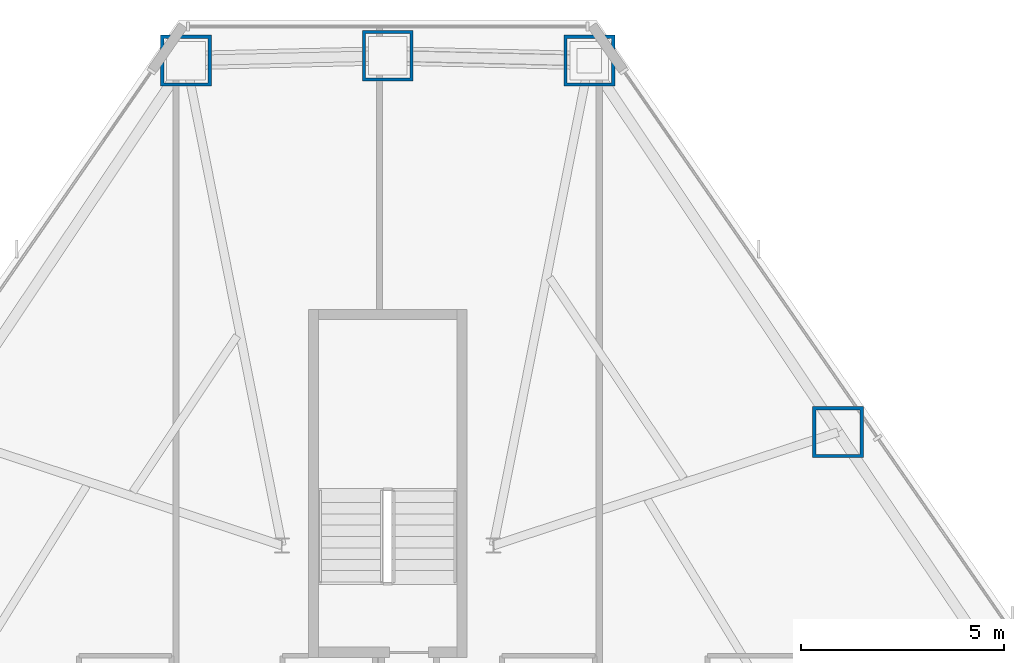
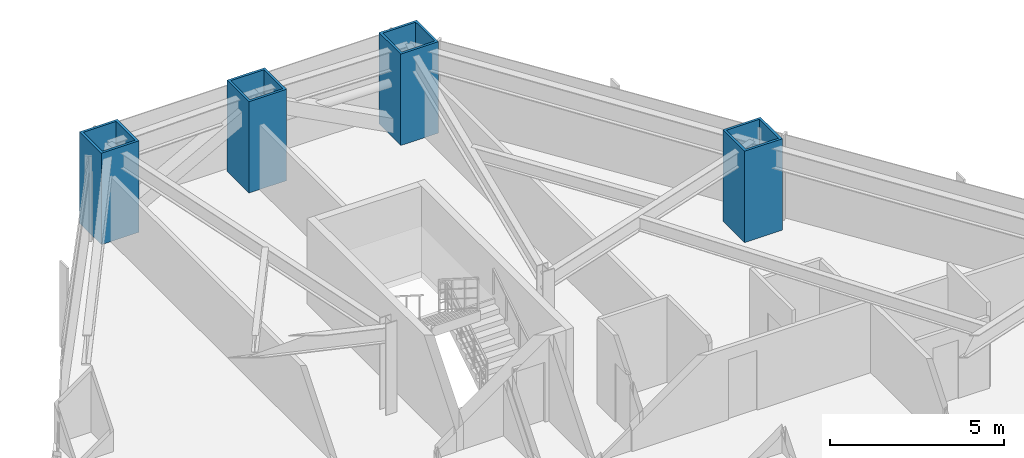
# One storey, part 3 of 13: 4 columns.
"""IFC4 building model written with IfcOpenShell, lengths in metres."""

from ifc_helpers import new_model, si_unit, direction, frame, origin, origin_2d, place, context, subcontext, project, spatial, hollow_rectangle, extrude, material, material_profile, profile_set, type_object, element, save


model = new_model("IFC4")

# Units and contexts
model_context = context("Model", 3, precision=1e-05, world=origin(), true_north=direction((0.0, 1.0)))
body_context = subcontext(model_context, "Body", "Model", "MODEL_VIEW")
ifc_project = project(units=[si_unit("LENGTHUNIT", "METRE"), si_unit("AREAUNIT", "SQUARE_METRE"), si_unit("VOLUMEUNIT", "CUBIC_METRE"), si_unit("PLANEANGLEUNIT", "RADIAN"), si_unit("MASSUNIT", "GRAM", prefix="KILO")], contexts=[model_context])

# Site, building, storey
site_placement = place(None, origin())
site = spatial("IfcSite", under=ifc_project, at=site_placement, CompositionType="ELEMENT")
building_placement = place(site_placement, origin())
building = spatial("IfcBuilding", under=site, at=building_placement, Name="Varakhsha Concourse Tower", CompositionType="ELEMENT")
storey_placement = place(building_placement, frame((0.0, 0.0, 46.39990234375)))
storey = spatial("IfcBuildingStorey", under=building, at=storey_placement, Name="L12", CompositionType="ELEMENT", Elevation=46.39990234375)

# Columns
ifc_material = material(Name="Structural Steel ASTM A572 Grade 50", Category="steel")
ifc_material_profile = material_profile(ifc_material, hollow_rectangle(XDim=1.25, YDim=1.25, WallThickness=0.080078125, at=origin_2d()), Name="BOX 1250x1250x80")
ifc_profile_set = profile_set([ifc_material_profile], Name="Structural Steel ASTM A572 Grade 50")
column_type = type_object("IfcColumnType", Name="CL-TUBE-1250", PredefinedType="COLUMN", material=ifc_profile_set)
for number, where, z_axis, x_axis, name in (
    (1, (44.95751953125, 53.11962890625, 0.0), (0.0, 0.0, 1.0), (1.0, 0.0, 0.0), "L12 Framed-Tube Column TC01"),
    (2, (40.0, 53.237060546875, 0.0), (0.0, 0.0, 1.0), (1.0, 0.0, 0.0), "L12 Framed-Tube Column TC02"),
    (3, (35.04248046875, 53.11962890625, 0.0), (0.0, 0.0, 1.0), (1.0, 0.0, 0.0), "L12 Framed-Tube Column TC03"),
    (4, (51.0693359375, 43.986083984375, 0.0), (0.0, 0.0, 1.0), (1.0, 0.0, 0.0), "L12 Framed-Tube Column TC18"),
):
    element("IfcColumn", number, at=place(storey_placement, frame(where, z_axis=z_axis, x_axis=x_axis)), inside=storey, type_object=column_type, Name=name, PredefinedType="COLUMN", context=body_context, shape_type="SweptSolid", body=[
        extrude(hollow_rectangle(XDim=1.25, YDim=1.25, WallThickness=0.080078125, at=origin_2d()), origin(), (0.0, 0.0, 1.0), 3.2001953125),
    ])

save(model, "model.ifc")
